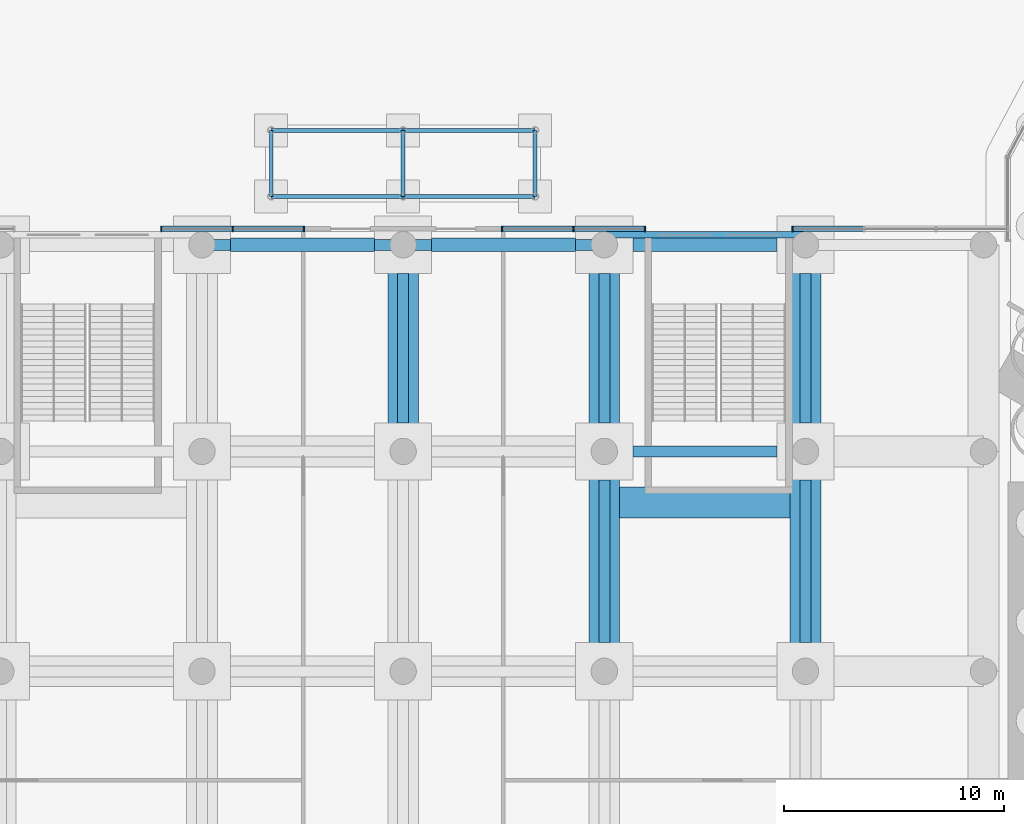
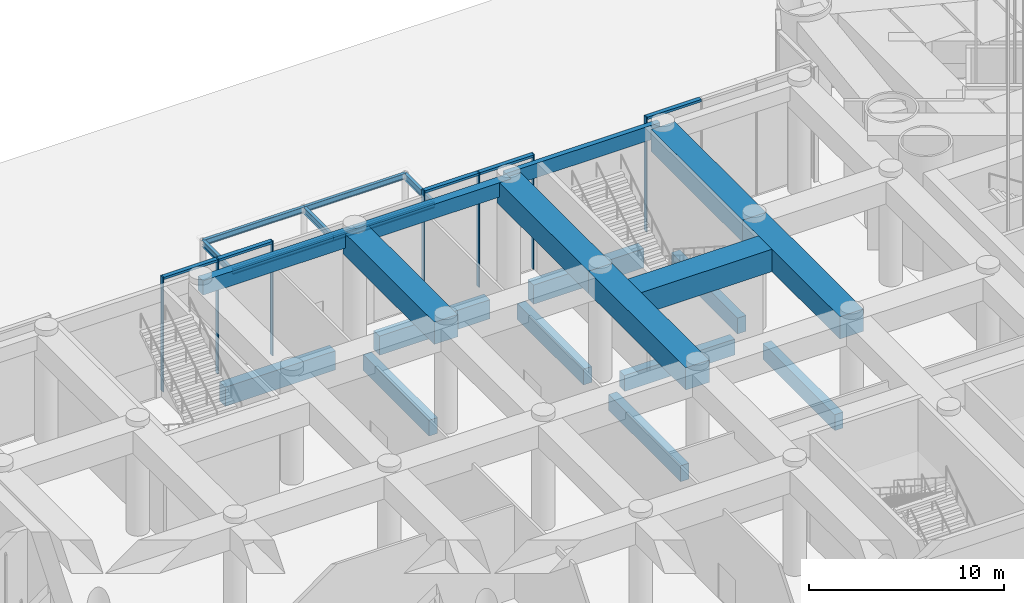
# One storey, part 14 of 43: 25 beams, 12 members, 3 elements without a shape of their own.
"""IFC4 building model written with IfcOpenShell, lengths in metres."""

from ifc_helpers import new_model, si_unit, direction, frame, origin, origin_2d, place, context, subcontext, project, spatial, rectangle, i_section, extrude, material, material_profile, profile_set, type_object, element, aggregate, save


model = new_model("IFC4")

# Units and contexts
model_context = context("Model", 3, precision=1e-05, world=origin(), true_north=direction((0.0, 1.0)))
body_context = subcontext(model_context, "Body", "Model", "MODEL_VIEW")
ifc_project = project(units=[si_unit("LENGTHUNIT", "METRE"), si_unit("AREAUNIT", "SQUARE_METRE"), si_unit("VOLUMEUNIT", "CUBIC_METRE"), si_unit("PLANEANGLEUNIT", "RADIAN"), si_unit("MASSUNIT", "GRAM", prefix="KILO")], contexts=[model_context])

# Site, building, storey
site_placement = place(None, origin())
site = spatial("IfcSite", under=ifc_project, at=site_placement, CompositionType="ELEMENT")
building_placement = place(site_placement, origin())
building = spatial("IfcBuilding", under=site, at=building_placement, Name="Lancet Gate Hotel", CompositionType="ELEMENT")
storey_placement = place(building_placement, origin())
storey = spatial("IfcBuildingStorey", under=building, at=storey_placement, Name="L00", CompositionType="ELEMENT", Elevation=0.0)

# Curtain wall, members
ifc_material_1 = material(Name="Aluminium curtain wall", Category="aluminium")
curtain_wall_type = type_object("IfcCurtainWallType", Name="Podium curtain wall", PredefinedType="USERDEFINED", material=ifc_material_1)
curtain_wall_1_placement = place(storey_placement, origin())
curtain_wall_1 = element("IfcCurtainWall", 1, at=curtain_wall_1_placement, inside=storey, type_object=curtain_wall_type, Name="Podium L00 curtain wall N2", ObjectType="UNITISED CURTAIN WALL", PredefinedType="USERDEFINED")
ifc_material_2 = material(Name="Aluminium mullion", Category="aluminium")
ifc_material_profile_1 = material_profile(ifc_material_2, rectangle(XDim=0.06494140625, YDim=0.25, at=origin_2d()), Name="MULLION 65x250")
ifc_profile_set_1 = profile_set([ifc_material_profile_1], Name="Aluminium mullion")
member_type_1 = type_object("IfcMemberType", Name="Aluminium mullion 65x250", PredefinedType="MULLION", material=ifc_profile_set_1)
member_1_placement = place(storey_placement, frame((-4.5, 20.1201171875, 0.0), z_axis=(0.0, 0.0, 1.0), x_axis=(-1.0, 0.0, 0.0)))
member_1 = element("IfcMember", 2, at=member_1_placement, type_object=member_type_1, Name="Podium L00 curtain wall N2 mullion 1", PredefinedType="MULLION", context=body_context, shape_type="SweptSolid", body=[
    extrude(rectangle(XDim=0.06494140625, YDim=0.25, at=origin_2d()), origin(), (0.0, 0.0, 1.0), 7.199951171875),
])
member_2_placement = place(storey_placement, frame((-7.75, 20.1201171875, 0.0), z_axis=(0.0, 0.0, 1.0), x_axis=(-1.0, 0.0, 0.0)))
member_2 = element("IfcMember", 3, at=member_2_placement, type_object=member_type_1, Name="Podium L00 curtain wall N2 mullion 2", PredefinedType="MULLION", context=body_context, shape_type="SweptSolid", body=[
    extrude(rectangle(XDim=0.06494140625, YDim=0.25, at=origin_2d()), origin(), (0.0, 0.0, 1.0), 7.199951171875),
])
member_3_placement = place(storey_placement, frame((-11.0, 20.1201171875, 0.0), z_axis=(0.0, 0.0, 1.0), x_axis=(-1.0, 0.0, 0.0)))
member_3 = element("IfcMember", 4, at=member_3_placement, type_object=member_type_1, Name="Podium L00 curtain wall N2 mullion 3", PredefinedType="MULLION", context=body_context, shape_type="SweptSolid", body=[
    extrude(rectangle(XDim=0.06494140625, YDim=0.25, at=origin_2d()), origin(), (0.0, 0.0, 1.0), 7.199951171875),
])

curtain_wall_2_placement = place(storey_placement, origin())
curtain_wall_2 = element("IfcCurtainWall", 5, at=curtain_wall_2_placement, inside=storey, type_object=curtain_wall_type, Name="Podium L00 curtain wall N3", ObjectType="UNITISED CURTAIN WALL", PredefinedType="USERDEFINED")
member_4_placement = place(storey_placement, frame((11.0, 20.1201171875, 0.0), z_axis=(0.0, 0.0, 1.0), x_axis=(-1.0, 0.0, 0.0)))
member_4 = element("IfcMember", 6, at=member_4_placement, type_object=member_type_1, Name="Podium L00 curtain wall N3 mullion 1", PredefinedType="MULLION", context=body_context, shape_type="SweptSolid", body=[
    extrude(rectangle(XDim=0.06494140625, YDim=0.25, at=origin_2d()), origin(), (0.0, 0.0, 1.0), 7.199951171875),
])
member_5_placement = place(storey_placement, frame((7.75, 20.1201171875, 0.0), z_axis=(0.0, 0.0, 1.0), x_axis=(-1.0, 0.0, 0.0)))
member_5 = element("IfcMember", 7, at=member_5_placement, type_object=member_type_1, Name="Podium L00 curtain wall N3 mullion 2", PredefinedType="MULLION", context=body_context, shape_type="SweptSolid", body=[
    extrude(rectangle(XDim=0.06494140625, YDim=0.25, at=origin_2d()), origin(), (0.0, 0.0, 1.0), 7.199951171875),
])
member_6_placement = place(storey_placement, frame((4.5, 20.1201171875, 0.0), z_axis=(0.0, 0.0, 1.0), x_axis=(-1.0, 0.0, 0.0)))
member_6 = element("IfcMember", 8, at=member_6_placement, type_object=member_type_1, Name="Podium L00 curtain wall N3 mullion 3", PredefinedType="MULLION", context=body_context, shape_type="SweptSolid", body=[
    extrude(rectangle(XDim=0.06494140625, YDim=0.25, at=origin_2d()), origin(), (0.0, 0.0, 1.0), 7.199951171875),
])

# Curtain wall, member
curtain_wall_3_placement = place(storey_placement, origin())
curtain_wall_3 = element("IfcCurtainWall", 9, at=curtain_wall_3_placement, inside=storey, type_object=curtain_wall_type, Name="Podium L00 curtain wall N4", ObjectType="UNITISED CURTAIN WALL", PredefinedType="USERDEFINED")
member_7_placement = place(storey_placement, frame((17.699951171875, 20.1201171875, 0.0), z_axis=(0.0, 0.0, 1.0), x_axis=(-1.0, 0.0, 0.0)))
member_7 = element("IfcMember", 10, at=member_7_placement, type_object=member_type_1, Name="Podium L00 curtain wall N4 mullion 4", PredefinedType="MULLION", context=body_context, shape_type="SweptSolid", body=[
    extrude(rectangle(XDim=0.06494140625, YDim=0.25, at=origin_2d()), origin(), (0.0, 0.0, 1.0), 7.199951171875),
])

# Member
ifc_material_3 = material(Name="Aluminium transom", Category="aluminium")
ifc_material_profile_2 = material_profile(ifc_material_3, rectangle(XDim=0.25, YDim=0.14990234375, at=origin_2d()), Name="TRANSOM 250x150")
ifc_profile_set_2 = profile_set([ifc_material_profile_2], Name="Aluminium transom")
member_type_2 = type_object("IfcMemberType", Name="Aluminium transom 250x150", PredefinedType="USERDEFINED", material=ifc_profile_set_2)
member_8_placement = place(storey_placement, frame((-4.532470703125, 20.1201171875, 7.125), z_axis=(-1.0, 0.0, 0.0), x_axis=(0.0, -1.0, 0.0)))
member_8 = element("IfcMember", 11, at=member_8_placement, type_object=member_type_2, Name="Podium L00 curtain wall N2 transom 1", ObjectType="TRANSOM", PredefinedType="USERDEFINED", context=body_context, shape_type="SweptSolid", body=[
    extrude(rectangle(XDim=0.25, YDim=0.14990234375, at=origin_2d()), origin(), (0.0, 0.0, 1.0), 3.18505859375),
])

member_9_placement = place(storey_placement, frame((-7.782470703125, 20.1201171875, 7.125), z_axis=(-1.0, 0.0, 0.0), x_axis=(0.0, -1.0, 0.0)))
member_9 = element("IfcMember", 12, at=member_9_placement, type_object=member_type_2, Name="Podium L00 curtain wall N2 transom 2", ObjectType="TRANSOM", PredefinedType="USERDEFINED", context=body_context, shape_type="SweptSolid", body=[
    extrude(rectangle(XDim=0.25, YDim=0.14990234375, at=origin_2d()), origin(), (0.0, 0.0, 1.0), 3.18505859375),
])

aggregate(curtain_wall_1, [member_1, member_2, member_3, member_8, member_9])

member_10_placement = place(storey_placement, frame((10.967529296875, 20.1201171875, 7.125), z_axis=(-1.0, 0.0, 0.0), x_axis=(0.0, -1.0, 0.0)))
member_10 = element("IfcMember", 13, at=member_10_placement, type_object=member_type_2, Name="Podium L00 curtain wall N3 transom 1", ObjectType="TRANSOM", PredefinedType="USERDEFINED", context=body_context, shape_type="SweptSolid", body=[
    extrude(rectangle(XDim=0.25, YDim=0.14990234375, at=origin_2d()), origin(), (0.0, 0.0, 1.0), 3.18505859375),
])

member_11_placement = place(storey_placement, frame((7.717529296875, 20.1201171875, 7.125), z_axis=(-1.0, 0.0, 0.0), x_axis=(0.0, -1.0, 0.0)))
member_11 = element("IfcMember", 14, at=member_11_placement, type_object=member_type_2, Name="Podium L00 curtain wall N3 transom 2", ObjectType="TRANSOM", PredefinedType="USERDEFINED", context=body_context, shape_type="SweptSolid", body=[
    extrude(rectangle(XDim=0.25, YDim=0.14990234375, at=origin_2d()), origin(), (0.0, 0.0, 1.0), 3.18505859375),
])

aggregate(curtain_wall_2, [member_4, member_5, member_6, member_10, member_11])

member_12_placement = place(storey_placement, frame((20.93408203125, 20.1201171875, 7.125), z_axis=(-1.0, 0.0, 0.0), x_axis=(0.0, -1.0, 0.0)))
member_12 = element("IfcMember", 15, at=member_12_placement, type_object=member_type_2, Name="Podium L00 curtain wall N4 transom 3", ObjectType="TRANSOM", PredefinedType="USERDEFINED", context=body_context, shape_type="SweptSolid", body=[
    extrude(rectangle(XDim=0.25, YDim=0.14990234375, at=origin_2d()), origin(), (0.0, 0.0, 1.0), 3.20166015625),
])

aggregate(curtain_wall_3, [member_7, member_12])

# Beams
ifc_material_4 = material(Name="Steel S355", Category="steel")
ifc_material_profile_3 = material_profile(ifc_material_4, i_section(OverallWidth=0.177978515625, OverallDepth=0.406494140625, WebThickness=0.0078125, FlangeThickness=0.0126953125, FilletRadius=0.01025390625, at=origin_2d()), Name="UKB 406x178x60")
ifc_profile_set_3 = profile_set([ifc_material_profile_3], Name="Steel S355")
beam_type_1 = type_object("IfcBeamType", Name="Canopy beam UKB 406x178x60", PredefinedType="BEAM", material=ifc_profile_set_3)
for number, where, z_axis, x_axis, name in (
    (16, (-6.0, 21.60009765625, 4.8466796875), (0.0, 1.0, 0.0), (-1.0, 0.0, 0.0), "Canopy beam N1"),
    (17, (0.0, 21.60009765625, 4.8466796875), (0.0, 1.0, 0.0), (-1.0, 0.0, 0.0), "Canopy beam N2"),
    (18, (6.0, 21.60009765625, 4.8466796875), (0.0, 1.0, 0.0), (-1.0, 0.0, 0.0), "Canopy beam N3"),
):
    element("IfcBeam", number, at=place(storey_placement, frame(where, z_axis=z_axis, x_axis=x_axis)), inside=storey, type_object=beam_type_1, Name=name, PredefinedType="BEAM", context=body_context, shape_type="SweptSolid", body=[
        extrude(i_section(OverallWidth=0.177978515625, OverallDepth=0.406494140625, WebThickness=0.0078125, FlangeThickness=0.0126953125, FilletRadius=0.01025390625, at=origin_2d()), origin(), (0.0, 0.0, 1.0), 3.0),
    ])
ifc_material_5 = material(Name="Steel S355", Category="steel")
ifc_material_profile_4 = material_profile(ifc_material_5, i_section(OverallWidth=0.17138671875, OverallDepth=0.35498046875, WebThickness=0.00732421875, FlangeThickness=0.011474609375, FilletRadius=0.01025390625, at=origin_2d()), Name="UKB 356x171x51")
ifc_profile_set_4 = profile_set([ifc_material_profile_4], Name="Steel S355")
beam_type_2 = type_object("IfcBeamType", Name="Canopy edge beam UKB 356x171x51", PredefinedType="BEAM", material=ifc_profile_set_4)
for number, where, z_axis, x_axis, name in (
    (19, (-6.0, 21.60009765625, 4.87255859375), (1.0, 0.0, 0.0), (0.0, 1.0, 0.0), "Canopy edge beam NA1"),
    (20, (0.0, 21.60009765625, 4.87255859375), (1.0, 0.0, 0.0), (0.0, 1.0, 0.0), "Canopy edge beam NA2"),
    (21, (-6.0, 24.60009765625, 4.87255859375), (1.0, 0.0, 0.0), (0.0, 1.0, 0.0), "Canopy edge beam NB1"),
    (22, (0.0, 24.60009765625, 4.87255859375), (1.0, 0.0, 0.0), (0.0, 1.0, 0.0), "Canopy edge beam NB2"),
):
    element("IfcBeam", number, at=place(storey_placement, frame(where, z_axis=z_axis, x_axis=x_axis)), inside=storey, type_object=beam_type_2, Name=name, PredefinedType="BEAM", context=body_context, shape_type="SweptSolid", body=[
        extrude(i_section(OverallWidth=0.17138671875, OverallDepth=0.35498046875, WebThickness=0.00732421875, FlangeThickness=0.011474609375, FilletRadius=0.01025390625, at=origin_2d()), origin(), (0.0, 0.0, 1.0), 6.0),
    ])
ifc_material_6 = material(Name="Concrete C40/50", Category="concrete")
ifc_material_profile_5 = material_profile(ifc_material_6, rectangle(XDim=0.5, YDim=1.0, at=origin_2d()), Name="RC 500x1000")
ifc_profile_set_5 = profile_set([ifc_material_profile_5], Name="Concrete C40/50")
beam_type_3 = type_object("IfcBeamType", Name="Ground beam RC 500x1000", PredefinedType="BEAM", material=ifc_profile_set_5)
beam_1_placement = place(storey_placement, frame((0.0, 11.300048828125, -0.75), z_axis=(0.0, 1.0, 0.0), x_axis=(-1.0, 0.0, 0.0)))
element("IfcBeam", 23, at=beam_1_placement, inside=storey, type_object=beam_type_3, Name="Ground beam 4D-4E", PredefinedType="BEAM", context=body_context, shape_type="SweptSolid", body=[
    extrude(rectangle(XDim=0.5, YDim=1.0, at=origin_2d()), origin(), (0.0, 0.0, 1.0), 6.800048828125),
])
beam_2_placement = place(storey_placement, frame((9.14990234375, 1.300048828125, -0.75), z_axis=(0.0, 1.0, 0.0), x_axis=(-1.0, 0.0, 0.0)))
element("IfcBeam", 24, at=beam_2_placement, inside=storey, type_object=beam_type_3, Name="Ground beam 5C-5D", PredefinedType="BEAM", context=body_context, shape_type="SweptSolid", body=[
    extrude(rectangle(XDim=0.5, YDim=1.0, at=origin_2d()), origin(), (0.0, 0.0, 1.0), 7.39990234375),
])
beam_3_placement = place(storey_placement, frame((10.449951171875, 10.0, -0.75), z_axis=(1.0, 0.0, 0.0), x_axis=(0.0, 1.0, 0.0)))
element("IfcBeam", 25, at=beam_3_placement, inside=storey, type_object=beam_type_3, Name="Ground beam 5D-6D", PredefinedType="BEAM", context=body_context, shape_type="SweptSolid", body=[
    extrude(rectangle(XDim=0.5, YDim=1.0, at=origin_2d()), origin(), (0.0, 0.0, 1.0), 6.550048828125),
])
beam_4_placement = place(storey_placement, frame((9.14990234375, 11.300048828125, -0.75), z_axis=(0.0, 1.0, 0.0), x_axis=(-1.0, 0.0, 0.0)))
element("IfcBeam", 26, at=beam_4_placement, inside=storey, type_object=beam_type_3, Name="Ground beam 5D-5E", PredefinedType="BEAM", context=body_context, shape_type="SweptSolid", body=[
    extrude(rectangle(XDim=0.5, YDim=1.0, at=origin_2d()), origin(), (0.0, 0.0, 1.0), 6.800048828125),
])
beam_5_placement = place(storey_placement, frame((18.300048828125, 1.300048828125, -0.75), z_axis=(0.0, 1.0, 0.0), x_axis=(-1.0, 0.0, 0.0)))
element("IfcBeam", 27, at=beam_5_placement, inside=storey, type_object=beam_type_3, Name="Ground beam 6C-6D", PredefinedType="BEAM", context=body_context, shape_type="SweptSolid", body=[
    extrude(rectangle(XDim=0.5, YDim=1.0, at=origin_2d()), origin(), (0.0, 0.0, 1.0), 7.39990234375),
])
beam_6_placement = place(storey_placement, frame((18.300048828125, 11.300048828125, -0.75), z_axis=(0.0, 1.0, 0.0), x_axis=(-1.0, 0.0, 0.0)))
element("IfcBeam", 28, at=beam_6_placement, inside=storey, type_object=beam_type_3, Name="Ground beam 6D-6E", PredefinedType="BEAM", context=body_context, shape_type="SweptSolid", body=[
    extrude(rectangle(XDim=0.5, YDim=1.0, at=origin_2d()), origin(), (0.0, 0.0, 1.0), 6.800048828125),
])
ifc_material_7 = material(Name="Concrete C40/50", Category="concrete")
ifc_material_profile_6 = material_profile(ifc_material_7, rectangle(XDim=0.60009765625, YDim=1.199951171875, at=origin_2d()), Name="RC 600x1200")
ifc_profile_set_6 = profile_set([ifc_material_profile_6], Name="Concrete C40/50")
beam_type_4 = type_object("IfcBeamType", Name="Ground beam RC 600x1200", PredefinedType="BEAM", material=ifc_profile_set_6)
for number, where, z_axis, x_axis, name in (
    (29, (-7.85009765625, 19.39990234375, -0.85009765625), (1.0, 0.0, 0.0), (0.0, 1.0, 0.0), "Ground beam 3E-4E"),
    (30, (1.300048828125, 19.39990234375, -0.85009765625), (1.0, 0.0, 0.0), (0.0, 1.0, 0.0), "Ground beam 4E-5E"),
    (31, (10.449951171875, 19.39990234375, -0.85009765625), (1.0, 0.0, 0.0), (0.0, 1.0, 0.0), "Ground beam 5E-6E"),
):
    element("IfcBeam", number, at=place(storey_placement, frame(where, z_axis=z_axis, x_axis=x_axis)), inside=storey, type_object=beam_type_4, Name=name, PredefinedType="BEAM", context=body_context, shape_type="SweptSolid", body=[
        extrude(rectangle(XDim=0.60009765625, YDim=1.199951171875, at=origin_2d()), origin(), (0.0, 0.0, 1.0), 6.550048828125),
    ])
ifc_material_8 = material(Name="Concrete C50/60", Category="concrete")
ifc_material_profile_7 = material_profile(ifc_material_8, rectangle(XDim=1.39990234375, YDim=1.39990234375, at=origin_2d()), Name="RC 1400x1400")
ifc_profile_set_7 = profile_set([ifc_material_profile_7], Name="Concrete C50/60")
beam_type_5 = type_object("IfcBeamType", Name="Podium beam RC 1400x1400", PredefinedType="BEAM", material=ifc_profile_set_7)
beam_7_placement = place(storey_placement, frame((9.85009765625, 7.679931640625, 6.14990234375), z_axis=(1.0, 0.0, 0.0), x_axis=(0.0, 1.0, 0.0)))
element("IfcBeam", 32, at=beam_7_placement, inside=storey, type_object=beam_type_5, Name="Podium trimmer beam PS2 L00", PredefinedType="BEAM", context=body_context, shape_type="SweptSolid", body=[
    extrude(rectangle(XDim=1.39990234375, YDim=1.39990234375, at=origin_2d()), origin(), (0.0, 0.0, 1.0), 7.75),
])
beam_8_placement = place(storey_placement, frame((0.0, 10.0, 6.14990234375), z_axis=(0.0, 1.0, 0.0), x_axis=(-1.0, 0.0, 0.0)))
element("IfcBeam", 33, at=beam_8_placement, inside=storey, type_object=beam_type_5, Name="Podium beam 4/D-E L00", PredefinedType="BEAM", context=body_context, shape_type="SweptSolid", body=[
    extrude(rectangle(XDim=1.39990234375, YDim=1.39990234375, at=origin_2d()), origin(), (0.0, 0.0, 1.0), 9.39990234375),
])
beam_9_placement = place(storey_placement, frame((9.14990234375, 0.0, 6.14990234375), z_axis=(0.0, 1.0, 0.0), x_axis=(-1.0, 0.0, 0.0)))
element("IfcBeam", 34, at=beam_9_placement, inside=storey, type_object=beam_type_5, Name="Podium beam 5/C-D L00", PredefinedType="BEAM", context=body_context, shape_type="SweptSolid", body=[
    extrude(rectangle(XDim=1.39990234375, YDim=1.39990234375, at=origin_2d()), origin(), (0.0, 0.0, 1.0), 10.0),
])
beam_10_placement = place(storey_placement, frame((9.14990234375, 10.0, 6.14990234375), z_axis=(0.0, 1.0, 0.0), x_axis=(-1.0, 0.0, 0.0)))
element("IfcBeam", 35, at=beam_10_placement, inside=storey, type_object=beam_type_5, Name="Podium beam 5/D-E L00", PredefinedType="BEAM", context=body_context, shape_type="SweptSolid", body=[
    extrude(rectangle(XDim=1.39990234375, YDim=1.39990234375, at=origin_2d()), origin(), (0.0, 0.0, 1.0), 9.39990234375),
])
beam_11_placement = place(storey_placement, frame((18.300048828125, 0.0, 6.14990234375), z_axis=(0.0, 1.0, 0.0), x_axis=(-1.0, 0.0, 0.0)))
element("IfcBeam", 36, at=beam_11_placement, inside=storey, type_object=beam_type_5, Name="Podium beam 6/C-D L00", PredefinedType="BEAM", context=body_context, shape_type="SweptSolid", body=[
    extrude(rectangle(XDim=1.39990234375, YDim=1.39990234375, at=origin_2d()), origin(), (0.0, 0.0, 1.0), 10.0),
])
beam_12_placement = place(storey_placement, frame((18.300048828125, 10.0, 6.14990234375), z_axis=(0.0, 1.0, 0.0), x_axis=(-1.0, 0.0, 0.0)))
element("IfcBeam", 37, at=beam_12_placement, inside=storey, type_object=beam_type_5, Name="Podium beam 6/D-E L00", PredefinedType="BEAM", context=body_context, shape_type="SweptSolid", body=[
    extrude(rectangle(XDim=1.39990234375, YDim=1.39990234375, at=origin_2d()), origin(), (0.0, 0.0, 1.0), 9.39990234375),
])
ifc_material_9 = material(Name="Concrete C50/60", Category="concrete")
ifc_material_profile_8 = material_profile(ifc_material_9, rectangle(XDim=0.5, YDim=0.89990234375, at=origin_2d()), Name="RC 500x900")
ifc_profile_set_8 = profile_set([ifc_material_profile_8], Name="Concrete C50/60")
beam_type_6 = type_object("IfcBeamType", Name="Podium edge beam RC 500x900", PredefinedType="BEAM", material=ifc_profile_set_8)
for number, where, z_axis, x_axis, name in (
    (38, (-9.14990234375, 19.39990234375, 6.39990234375), (1.0, 0.0, 0.0), (0.0, 1.0, 0.0), "Podium beam E/3-4 L00"),
    (39, (0.0, 19.39990234375, 6.39990234375), (1.0, 0.0, 0.0), (0.0, 1.0, 0.0), "Podium beam E/4-5 L00"),
):
    element("IfcBeam", number, at=place(storey_placement, frame(where, z_axis=z_axis, x_axis=x_axis)), inside=storey, type_object=beam_type_6, Name=name, PredefinedType="BEAM", context=body_context, shape_type="SweptSolid", body=[
        extrude(rectangle(XDim=0.5, YDim=0.89990234375, at=origin_2d()), origin(), (0.0, 0.0, 1.0), 9.14990234375),
    ])
ifc_material_10 = material(Name="Concrete C50/60", Category="concrete")
ifc_material_profile_9 = material_profile(ifc_material_10, rectangle(XDim=0.300048828125, YDim=0.89990234375, at=origin_2d()), Name="RC 300x900")
ifc_profile_set_9 = profile_set([ifc_material_profile_9], Name="Concrete C50/60")
beam_type_7 = type_object("IfcBeamType", Name="Podium stair edge beam RC 300x900", PredefinedType="BEAM", material=ifc_profile_set_9)
beam_13_placement = place(storey_placement, frame((9.14990234375, 19.85009765625, 6.39990234375), z_axis=(1.0, 0.0, 0.0), x_axis=(0.0, 1.0, 0.0)))
element("IfcBeam", 40, at=beam_13_placement, inside=storey, type_object=beam_type_7, Name="Podium beam E/5-6 L00", PredefinedType="BEAM", context=body_context, shape_type="SweptSolid", body=[
    extrude(rectangle(XDim=0.300048828125, YDim=0.89990234375, at=origin_2d()), origin(), (0.0, 0.0, 1.0), 9.150146484375),
])

save(model, "model.ifc")
